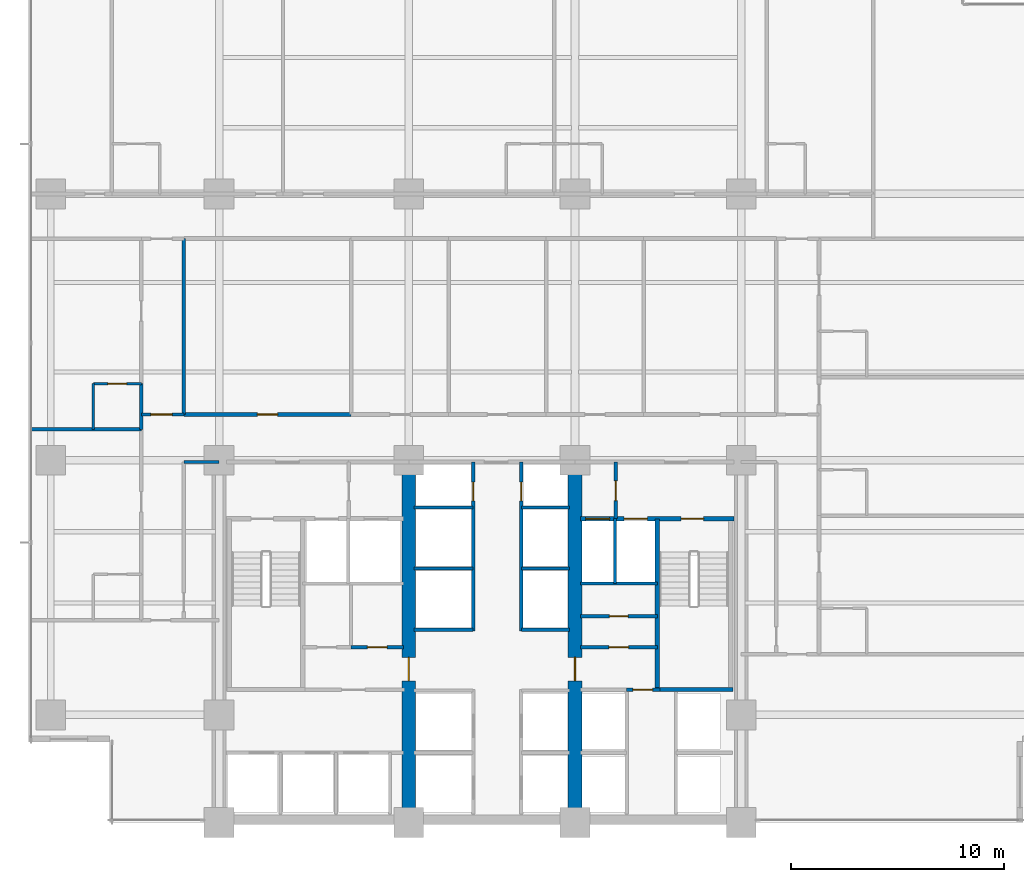
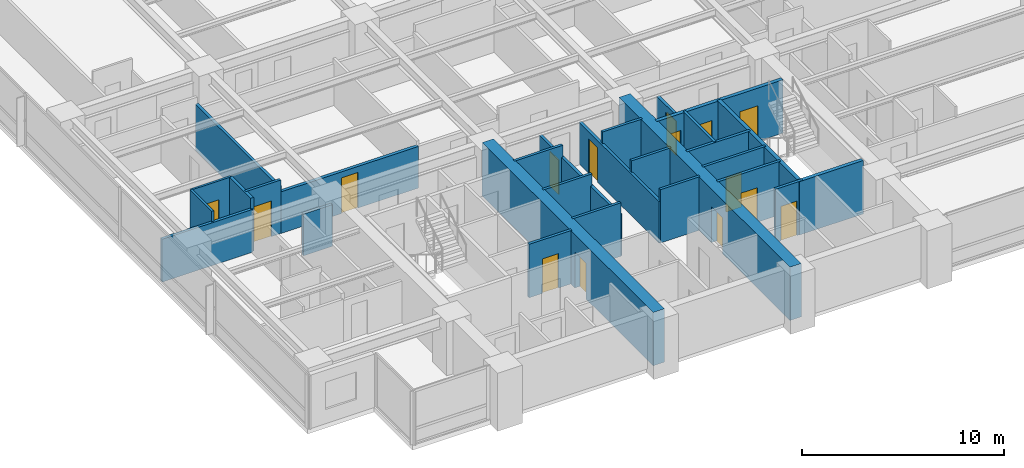
# One storey, part 8 of 16: 28 walls, 15 doors, 15 openings.
"""IFC4 building model written with IfcOpenShell, lengths in metres."""

import ifcopenshell
import ifcopenshell.guid

model = None  # the IFC model being written
_history = None  # IfcOwnerHistory: only IFC2X3 demands one
_inside = {}  # id of a spatial element -> (the spatial element, [elements in it])
_under = {}  # id of a project, library or spatial element -> (it, [spatial elements below it])
_declared = {}  # id of a project -> (the project, [libraries it declares])
_typed = {}  # id of a type object -> (the type object, [elements of that type])
_made_of = {}  # id of a material, layer set ... -> (it, [elements and type objects made of it])


def new_model(schema):
    """Start an empty IFC model of exactly this schema.

    Asked for "IFC4X3", IfcOpenShell would pick the latest addendum, in which some entities
    have other attributes; the version numbers below select the first issue.
    IFC2X3 requires an IfcOwnerHistory on every rooted entity: one is made here for all.
    """
    global model, _history
    if schema == "IFC4X3":
        model = ifcopenshell.file(schema_version=(4, 3, 0, 0))
    else:
        model = ifcopenshell.file(schema=schema)
    _inside.clear()
    _under.clear()
    _declared.clear()
    _typed.clear()
    _made_of.clear()
    _history = None
    if model.schema == "IFC2X3":
        org = make("IfcOrganization", Name="unknown")
        user = make(
            "IfcPersonAndOrganization",
            ThePerson=make("IfcPerson", FamilyName="unknown"),
            TheOrganization=org,
        )
        app = make(
            "IfcApplication",
            ApplicationDeveloper=org,
            Version="unknown",
            ApplicationFullName="unknown",
            ApplicationIdentifier="unknown",
        )
        _history = make(
            "IfcOwnerHistory",
            OwningUser=user,
            OwningApplication=app,
            ChangeAction="ADDED",
            CreationDate=0,
        )
    return model


def make(cls, **values):
    """One entity of the class cls with the attributes given. An attribute that is None is left unset."""
    return model.create_entity(
        cls, **{name: value for name, value in values.items() if value is not None}
    )


def rooted(cls, **values):
    """An entity with a GlobalId (a new one), such as an element, a storey or a relation."""
    return make(cls, GlobalId=ifcopenshell.guid.new(), OwnerHistory=_history, **values)


def si_unit(unit_type, name, prefix=None):
    """IfcSIUnit, for example si_unit("LENGTHUNIT", "METRE", prefix="MILLI")."""
    return make("IfcSIUnit", UnitType=unit_type, Prefix=prefix, Name=name)


def assignment(units):
    """IfcUnitAssignment: the units of a project."""
    return None if units is None else make("IfcUnitAssignment", Units=units)


def point(xyz):
    """IfcCartesianPoint."""
    return None if xyz is None else make("IfcCartesianPoint", Coordinates=xyz)


def direction(xyz):
    """IfcDirection."""
    return None if xyz is None else make("IfcDirection", DirectionRatios=xyz)


def frame(location, z_axis=None, x_axis=None):
    """IfcAxis2Placement3D, a coordinate frame: its origin and axes. An axis left out is left unset."""
    return make(
        "IfcAxis2Placement3D",
        Location=point(location),
        Axis=direction(z_axis),
        RefDirection=direction(x_axis),
    )


def frame_2d(location, x_axis=None):
    """IfcAxis2Placement2D, a coordinate frame in the plane: its origin and x axis."""
    return make(
        "IfcAxis2Placement2D", Location=point(location), RefDirection=direction(x_axis)
    )


def origin():
    """The frame at (0, 0, 0) with its axes left unset."""
    return frame((0.0, 0.0, 0.0))


def place(relative_to, where):
    """IfcLocalPlacement: puts the frame where relative to a parent placement (None: the world)."""
    return make(
        "IfcLocalPlacement", PlacementRelTo=relative_to, RelativePlacement=where
    )


def context(
    kind, dimensions, precision=None, world=None, true_north=None, identifier=None
):
    """IfcGeometricRepresentationContext, for example the 3D "Model" context."""
    return make(
        "IfcGeometricRepresentationContext",
        ContextIdentifier=identifier,
        ContextType=kind,
        CoordinateSpaceDimension=dimensions,
        Precision=precision,
        WorldCoordinateSystem=world,
        TrueNorth=true_north,
    )


def subcontext(parent, identifier, kind, view, scale=None):
    """IfcGeometricRepresentationSubContext, for example "Body" below "Model"."""
    return make(
        "IfcGeometricRepresentationSubContext",
        ContextIdentifier=identifier,
        ContextType=kind,
        ParentContext=parent,
        TargetScale=scale,
        TargetView=view,
    )


def project(units=None, contexts=None):
    """IfcProject with its units and contexts."""
    return rooted(
        "IfcProject",
        Name="project",
        RepresentationContexts=contexts,
        UnitsInContext=assignment(units),
    )


def spatial(cls, under=None, at=None, **own):
    """A site, building, storey or space (cls), placed at a placement, below another one or the project."""
    s = rooted(cls, ObjectPlacement=at, **own)
    if under is not None:
        _under.setdefault(under.id(), (under, []))[1].append(s)
    return s


def profile(cls, at=None, kind="AREA", **sizes):
    """A parametric profile (cls). Its sizes go by their IFC names, for example OverallWidth=200.0."""
    return make(cls, ProfileType=kind, Position=at, **sizes)


def rectangle(**sizes):
    """IfcRectangleProfileDef."""
    return profile("IfcRectangleProfileDef", **sizes)


def extrude(swept, where, along, depth):
    """IfcExtrudedAreaSolid: the profile swept, set in the frame where, extruded along a direction by depth."""
    return make(
        "IfcExtrudedAreaSolid",
        SweptArea=swept,
        Position=where,
        ExtrudedDirection=direction(along),
        Depth=depth,
    )


def shape(context_of_items, identifier, shape_type, items):
    """IfcShapeRepresentation: the items that make up one representation, for example the "Body"."""
    return make(
        "IfcShapeRepresentation",
        ContextOfItems=context_of_items,
        RepresentationIdentifier=identifier,
        RepresentationType=shape_type,
        Items=items,
    )


def material(Name=None, Category=None):
    """IfcMaterial."""
    return make("IfcMaterial", Name=Name, Category=Category)


def layer(
    of_material, thickness, ventilated=None, Name=None, Category=None, Priority=None
):
    """IfcMaterialLayer: one layer of a wall or slab, of a material (None: an air gap)."""
    return make(
        "IfcMaterialLayer",
        Material=of_material,
        LayerThickness=thickness,
        IsVentilated=ventilated,
        Name=Name,
        Category=Category,
        Priority=Priority,
    )


def layer_set(layers, Name=None):
    """IfcMaterialLayerSet."""
    return make("IfcMaterialLayerSet", MaterialLayers=layers, LayerSetName=Name)


def made_of(thing, what):
    """Note that an element or type object is made of a material, layer set ...; save() writes the relation."""
    if what is not None:
        _made_of.setdefault(what.id(), (what, []))[1].append(thing)
    return thing


def type_object(cls, material=None, **own):
    """A type object (cls), such as IfcWallType, which elements share."""
    return made_of(rooted(cls, **own), material)


def element(
    cls,
    number,
    at=None,
    inside=None,
    cuts=None,
    type_object=None,
    material=None,
    context=None,
    identifier="Body",
    shape_type=None,
    held_by="IfcProductDefinitionShape",
    body=None,
    shapes=None,
    **own,
):
    """One element of the class cls, such as IfcWall. Its Tag is "e" and its number.

    at: its placement. inside: the storey or other place that contains it. cuts: it is an
    opening in that element (IfcRelVoidsElement). A single representation is given by context,
    identifier, shape_type and body (its items); several are given by shapes. held_by: the class
    of the entity that holds the representations. save() writes the other relations.
    """
    e = rooted(cls, Tag="e%d" % number, ObjectPlacement=at, **own)
    if body is not None:
        shapes = [shape(context, identifier, shape_type, body)]
    if shapes is not None:
        e.Representation = make(held_by, Representations=shapes)
    if inside is not None:
        _inside.setdefault(inside.id(), (inside, []))[1].append(e)
    if cuts is not None:
        rooted(
            "IfcRelVoidsElement", RelatingBuildingElement=cuts, RelatedOpeningElement=e
        )
    if type_object is not None:
        _typed.setdefault(type_object.id(), (type_object, []))[1].append(e)
    return made_of(e, material)


def fill(opening, filler):
    """IfcRelFillsElement: the door or window that sits in an opening."""
    return rooted(
        "IfcRelFillsElement",
        RelatingOpeningElement=opening,
        RelatedBuildingElement=filler,
    )


def aggregate(whole, parts):
    """IfcRelAggregates: a whole, such as a stair, and the parts it consists of."""
    return rooted("IfcRelAggregates", RelatingObject=whole, RelatedObjects=parts)


def save(model, path):
    """Write the relations noted so far, then the file.

    IfcRelAggregates (storeys below a building ...), IfcRelContainedInSpatialStructure (elements
    in a storey), IfcRelDefinesByType, IfcRelAssociatesMaterial and IfcRelDeclares: one each for
    every whole, place, type object, material and project.
    """
    for whole, parts in _under.values():
        aggregate(whole, parts)
    for where, things in _inside.values():
        rooted(
            "IfcRelContainedInSpatialStructure",
            RelatedElements=things,
            RelatingStructure=where,
        )
    for kind, things in _typed.values():
        rooted("IfcRelDefinesByType", RelatedObjects=things, RelatingType=kind)
    for what, things in _made_of.values():
        rooted("IfcRelAssociatesMaterial", RelatedObjects=things, RelatingMaterial=what)
    for by, libraries in _declared.values():
        rooted("IfcRelDeclares", RelatingContext=by, RelatedDefinitions=libraries)
    model.write(path)


model = new_model("IFC4")

# Units and contexts
model_context = context("Model", 3, precision=1e-05, world=origin(), true_north=direction((0.0, 1.0)))
body_context = subcontext(model_context, "Body", "Model", "MODEL_VIEW")
ifc_project = project(units=[si_unit("LENGTHUNIT", "METRE"), si_unit("AREAUNIT", "SQUARE_METRE"), si_unit("VOLUMEUNIT", "CUBIC_METRE"), si_unit("PLANEANGLEUNIT", "RADIAN"), si_unit("MASSUNIT", "GRAM", prefix="KILO")], contexts=[model_context])

# Site, building, storey
site_placement = place(None, origin())
site = spatial("IfcSite", under=ifc_project, at=site_placement, CompositionType="ELEMENT")
building_placement = place(site_placement, origin())
building = spatial("IfcBuilding", under=site, at=building_placement, Name="Qalmaran Belvedere Hotel", CompositionType="ELEMENT")
storey_placement = place(building_placement, frame((0.0, 0.0, 43.89990234375)))
storey = spatial("IfcBuildingStorey", under=building, at=storey_placement, Name="L10", CompositionType="ELEMENT", Elevation=43.89990234375)

# Wall, opening, door
ifc_material_1 = material(Name="Concrete C60/75", Category="concrete")
ifc_layer_1 = layer(ifc_material_1, 0.64990234375, Name="Concrete C60/75")
ifc_layer_set_1 = layer_set([ifc_layer_1], Name="Concrete C60/75")
wall_type_1 = type_object("IfcWallType", Name="WL-CORE-650-C60", PredefinedType="SHEAR", material=ifc_layer_set_1)
wall_1_placement = place(storey_placement, frame((29.199951171875, 3.5, 0.0), z_axis=(0.0, 0.0, 1.0), x_axis=(0.0, 1.0, 0.0)))
wall_1 = element("IfcWall", 1, at=wall_1_placement, inside=storey, type_object=wall_type_1, Name="L10 Core West Spine Shear Wall", PredefinedType="SHEAR", context=body_context, shape_type="SweptSolid", body=[
    extrude(rectangle(XDim=16.89990234375, YDim=0.64990234375, at=frame_2d((8.449951171875, 0.0))), origin(), (0.0, 0.0, 1.0), 3.22021484375),
])
opening_1_placement = place(wall_1_placement, frame((7.75, 0.0, 0.0), z_axis=(0.0, 0.0, 1.0), x_axis=(-1.0, 0.0, 0.0)))
opening_1 = element("IfcOpeningElement", 2, at=opening_1_placement, cuts=wall_1, Name="Opening FD90", PredefinedType="OPENING", context=body_context, shape_type="SweptSolid", body=[
    extrude(rectangle(XDim=1.10009765625, YDim=2.14990234375, at=frame_2d((0.550048828125, 1.074951171875))), frame((0.0, 0.3349609375, 0.0), z_axis=(0.0, -1.0, 0.0), x_axis=(1.0, 0.0, 0.0)), (0.0, 0.0, 1.0), 0.669921875),
])
ifc_material_2 = material(Name="Steel S355JR", Category="steel")
door_type_1 = type_object("IfcDoorType", Name="DR-FD90-1100X2150", OperationType="NOTDEFINED", PredefinedType="DOOR", material=ifc_material_2)
door_1_placement = place(opening_1_placement, origin())
door_1 = element("IfcDoor", 3, at=door_1_placement, inside=storey, type_object=door_type_1, Name="L10 Core West Cross-Lobby Door", OperationType="SINGLE_SWING_LEFT", OverallHeight=2.14990234375, OverallWidth=1.10009765625, PredefinedType="DOOR", context=body_context, shape_type="SweptSolid", body=[
    extrude(rectangle(XDim=1.10009765625, YDim=2.14990234375, at=frame_2d((0.550048828125, 1.074951171875))), frame((0.0, 0.02490234375, 0.0), z_axis=(0.0, -1.0, 0.0), x_axis=(1.0, 0.0, 0.0)), (0.0, 0.0, 1.0), 0.050048828125),
])
fill(opening_1, door_1)

wall_2_placement = place(storey_placement, frame((37.0, 3.5, 0.0), z_axis=(0.0, 0.0, 1.0), x_axis=(0.0, 1.0, 0.0)))
wall_2 = element("IfcWall", 4, at=wall_2_placement, inside=storey, type_object=wall_type_1, Name="L10 Core East Spine Shear Wall", PredefinedType="SHEAR", context=body_context, shape_type="SweptSolid", body=[
    extrude(rectangle(XDim=16.89990234375, YDim=0.64990234375, at=frame_2d((8.449951171875, 0.0))), origin(), (0.0, 0.0, 1.0), 3.22021484375),
])
opening_2_placement = place(wall_2_placement, frame((6.64990234375, 0.0, 0.0)))
opening_2 = element("IfcOpeningElement", 5, at=opening_2_placement, cuts=wall_2, Name="Opening FD90", PredefinedType="OPENING", context=body_context, shape_type="SweptSolid", body=[
    extrude(rectangle(XDim=1.10009765625, YDim=2.14990234375, at=frame_2d((0.550048828125, 1.074951171875))), frame((0.0, 0.3349609375, 0.0), z_axis=(0.0, -1.0, 0.0), x_axis=(1.0, 0.0, 0.0)), (0.0, 0.0, 1.0), 0.669921875),
])
door_2_placement = place(opening_2_placement, origin())
door_2 = element("IfcDoor", 6, at=door_2_placement, inside=storey, type_object=door_type_1, Name="L10 Core East Cross-Lobby Door", OperationType="SINGLE_SWING_RIGHT", OverallHeight=2.14990234375, OverallWidth=1.10009765625, PredefinedType="DOOR", context=body_context, shape_type="SweptSolid", body=[
    extrude(rectangle(XDim=1.10009765625, YDim=2.14990234375, at=frame_2d((0.550048828125, 1.074951171875))), frame((0.0, 0.02490234375, 0.0), z_axis=(0.0, -1.0, 0.0), x_axis=(1.0, 0.0, 0.0)), (0.0, 0.0, 1.0), 0.050048828125),
])
fill(opening_2, door_2)

ifc_material_3 = material(Name="Moisture-Resistant Gypsum")
ifc_layer_2 = layer(ifc_material_3, 0.1201171875, Name="Moisture-Resistant Gypsum")
ifc_layer_set_2 = layer_set([ifc_layer_2], Name="Moisture-Resistant Gypsum")
wall_type_2 = type_object("IfcWallType", Name="WL-INT-120-BATH", PredefinedType="PARTITIONING", material=ifc_layer_set_2)
wall_3_placement = place(storey_placement, frame((14.39990234375, 24.10009765625, 0.0), z_axis=(0.0, 0.0, 1.0), x_axis=(1.0, 0.0, 0.0)))
wall_3 = element("IfcWall", 7, at=wall_3_placement, inside=storey, type_object=wall_type_2, Name="L10 Partition WL-L10-WBN01", PredefinedType="PARTITIONING", context=body_context, shape_type="SweptSolid", body=[
    extrude(rectangle(XDim=2.25, YDim=0.1201171875, at=frame_2d((1.125, 0.0))), origin(), (0.0, 0.0, 1.0), 3.22021484375),
])
opening_3_placement = place(wall_3_placement, frame((1.56494140625, 0.0, 0.0), z_axis=(0.0, 0.0, 1.0), x_axis=(-1.0, 0.0, 0.0)))
opening_3 = element("IfcOpeningElement", 8, at=opening_3_placement, cuts=wall_3, Name="Opening D-BATH", PredefinedType="OPENING", context=body_context, shape_type="SweptSolid", body=[
    extrude(rectangle(XDim=0.8798828125, YDim=2.080078125, at=frame_2d((0.43994140625, 1.0400390625))), frame((0.0, 0.070068359375, 0.0), z_axis=(0.0, -1.0, 0.0), x_axis=(1.0, 0.0, 0.0)), (0.0, 0.0, 1.0), 0.14013671875),
])
ifc_material_4 = material(Name="Engineered Oak Veneer")
door_type_2 = type_object("IfcDoorType", Name="DR-INT-BATH-880X2080", OperationType="NOTDEFINED", PredefinedType="DOOR", material=ifc_material_4)
door_3_placement = place(opening_3_placement, origin())
door_3 = element("IfcDoor", 9, at=door_3_placement, inside=storey, type_object=door_type_2, Name="L10 W Ensuite Door 02", OperationType="SINGLE_SWING_LEFT", OverallHeight=2.080078125, OverallWidth=0.8798828125, PredefinedType="DOOR", context=body_context, shape_type="SweptSolid", body=[
    extrude(rectangle(XDim=0.8798828125, YDim=2.080078125, at=frame_2d((0.43994140625, 1.0400390625))), frame((0.0, 0.02490234375, 0.0), z_axis=(0.0, -1.0, 0.0), x_axis=(1.0, 0.0, 0.0)), (0.0, 0.0, 1.0), 0.050048828125),
])
fill(opening_3, door_3)

# Walls
wall_4_placement = place(storey_placement, frame((14.39990234375, 21.949951171875, 0.0), z_axis=(0.0, 0.0, 1.0), x_axis=(0.0, 1.0, 0.0)))
element("IfcWall", 10, at=wall_4_placement, inside=storey, type_object=wall_type_2, Name="L10 Partition WL-L10-WBS01", PredefinedType="PARTITIONING", context=body_context, shape_type="SweptSolid", body=[
    extrude(rectangle(XDim=2.150146484375, YDim=0.1201171875, at=frame_2d((1.0751953125, 0.0))), origin(), (0.0, 0.0, 1.0), 3.22021484375),
])
ifc_material_5 = material(Name="Gypsum Stud Partition")
ifc_layer_3 = layer(ifc_material_5, 0.14990234375, Name="Gypsum Stud Partition")
ifc_layer_set_3 = layer_set([ifc_layer_3], Name="Gypsum Stud Partition")
wall_type_3 = type_object("IfcWallType", Name="WL-INT-150-EI120", PredefinedType="PARTITIONING", material=ifc_layer_set_3)
wall_5_placement = place(storey_placement, frame((38.8798828125, 14.719970703125, 0.0), z_axis=(0.0, 0.0, 1.0), x_axis=(0.0, 1.0, 0.0)))
element("IfcWall", 11, at=wall_5_placement, inside=storey, type_object=wall_type_3, Name="L10 Partition WL-FF2M-L10", PredefinedType="PARTITIONING", context=body_context, shape_type="SweptSolid", body=[
    extrude(rectangle(XDim=3.0400390625, YDim=0.14990234375, at=frame_2d((1.52001953125, 0.0))), origin(), (0.0, 0.0, 1.0), 3.22021484375),
])
wall_6_placement = place(storey_placement, frame((29.449951171875, 12.550048828125, 0.0), z_axis=(0.0, 0.0, 1.0), x_axis=(1.0, 0.0, 0.0)))
element("IfcWall", 12, at=wall_6_placement, inside=storey, type_object=wall_type_3, Name="L10 Partition WL-PMW-L10-125", PredefinedType="PARTITIONING", context=body_context, shape_type="SweptSolid", body=[
    extrude(rectangle(XDim=2.77001953125, YDim=0.14990234375, at=frame_2d((1.385009765625, 0.0))), origin(), (0.0, 0.0, 1.0), 3.22021484375),
])
wall_7_placement = place(storey_placement, frame((34.47998046875, 12.550048828125, 0.0), z_axis=(0.0, 0.0, 1.0), x_axis=(1.0, 0.0, 0.0)))
element("IfcWall", 13, at=wall_7_placement, inside=storey, type_object=wall_type_3, Name="L10 Partition WL-PME-L10-125", PredefinedType="PARTITIONING", context=body_context, shape_type="SweptSolid", body=[
    extrude(rectangle(XDim=2.27001953125, YDim=0.14990234375, at=frame_2d((1.135009765625, 0.0))), origin(), (0.0, 0.0, 1.0), 3.22021484375),
])
wall_8_placement = place(storey_placement, frame((29.449951171875, 15.419921875, 0.0), z_axis=(0.0, 0.0, 1.0), x_axis=(1.0, 0.0, 0.0)))
element("IfcWall", 14, at=wall_8_placement, inside=storey, type_object=wall_type_3, Name="L10 Partition WL-PMW-L10-154", PredefinedType="PARTITIONING", context=body_context, shape_type="SweptSolid", body=[
    extrude(rectangle(XDim=2.77001953125, YDim=0.14990234375, at=frame_2d((1.385009765625, 0.0))), origin(), (0.0, 0.0, 1.0), 3.22021484375),
])
wall_9_placement = place(storey_placement, frame((34.47998046875, 15.419921875, 0.0), z_axis=(0.0, 0.0, 1.0), x_axis=(1.0, 0.0, 0.0)))
element("IfcWall", 15, at=wall_9_placement, inside=storey, type_object=wall_type_3, Name="L10 Partition WL-PME-L10-154", PredefinedType="PARTITIONING", context=body_context, shape_type="SweptSolid", body=[
    extrude(rectangle(XDim=2.27001953125, YDim=0.14990234375, at=frame_2d((1.135009765625, 0.0))), origin(), (0.0, 0.0, 1.0), 3.22021484375),
])
wall_10_placement = place(storey_placement, frame((29.449951171875, 18.280029296875, 0.0), z_axis=(0.0, 0.0, 1.0), x_axis=(1.0, 0.0, 0.0)))
element("IfcWall", 16, at=wall_10_placement, inside=storey, type_object=wall_type_3, Name="L10 Partition WL-PMW-L10-182", PredefinedType="PARTITIONING", context=body_context, shape_type="SweptSolid", body=[
    extrude(rectangle(XDim=2.77001953125, YDim=0.14990234375, at=frame_2d((1.385009765625, 0.0))), origin(), (0.0, 0.0, 1.0), 3.22021484375),
])
wall_11_placement = place(storey_placement, frame((34.47998046875, 18.280029296875, 0.0), z_axis=(0.0, 0.0, 1.0), x_axis=(1.0, 0.0, 0.0)))
element("IfcWall", 17, at=wall_11_placement, inside=storey, type_object=wall_type_3, Name="L10 Partition WL-PME-L10-182", PredefinedType="PARTITIONING", context=body_context, shape_type="SweptSolid", body=[
    extrude(rectangle(XDim=2.27001953125, YDim=0.14990234375, at=frame_2d((1.135009765625, 0.0))), origin(), (0.0, 0.0, 1.0), 3.22021484375),
])

# Wall, opening, door
ifc_layer_4 = layer(ifc_material_5, 0.14990234375, Name="Gypsum Stud Partition")
ifc_layer_set_4 = layer_set([ifc_layer_4], Name="Gypsum Stud Partition")
wall_type_4 = type_object("IfcWallType", Name="WL-INT-150-EI60", PredefinedType="PARTITIONING", material=ifc_layer_set_4)
wall_12_placement = place(storey_placement, frame((37.25, 13.18505859375, 0.0), z_axis=(0.0, 0.0, 1.0), x_axis=(1.0, 0.0, 0.0)))
wall_12 = element("IfcWall", 18, at=wall_12_placement, inside=storey, type_object=wall_type_4, Name="L10 Partition WL-L10-KEHM", PredefinedType="PARTITIONING", context=body_context, shape_type="SweptSolid", body=[
    extrude(rectangle(XDim=3.610107421875, YDim=0.14990234375, at=frame_2d((1.80517578125, 0.0))), origin(), (0.0, 0.0, 1.0), 3.22021484375),
])
opening_4_placement = place(wall_12_placement, frame((1.364990234375, 0.0, 0.0)))
opening_4 = element("IfcOpeningElement", 19, at=opening_4_placement, cuts=wall_12, Name="Opening FD60B", PredefinedType="OPENING", context=body_context, shape_type="SweptSolid", body=[
    extrude(rectangle(XDim=0.8798828125, YDim=2.080078125, at=frame_2d((0.43994140625, 1.0400390625))), frame((0.0, 0.0849609375, 0.0), z_axis=(0.0, -1.0, 0.0), x_axis=(1.0, 0.0, 0.0)), (0.0, 0.0, 1.0), 0.169921875),
])
door_type_3 = type_object("IfcDoorType", Name="DR-FD60B-880X2080", OperationType="NOTDEFINED", PredefinedType="DOOR", material=ifc_material_2)
door_4_placement = place(opening_4_placement, origin())
door_4 = element("IfcDoor", 20, at=door_4_placement, inside=storey, type_object=door_type_3, Name="L10 Hotel Linen Closet Door", OperationType="SINGLE_SWING_LEFT", OverallHeight=2.080078125, OverallWidth=0.8798828125, PredefinedType="DOOR", context=body_context, shape_type="SweptSolid", body=[
    extrude(rectangle(XDim=0.8798828125, YDim=2.080078125, at=frame_2d((0.43994140625, 1.0400390625))), frame((0.0, 0.02490234375, 0.0), z_axis=(0.0, -1.0, 0.0), x_axis=(1.0, 0.0, 0.0)), (0.0, 0.0, 1.0), 0.050048828125),
])
fill(opening_4, door_4)

wall_13_placement = place(storey_placement, frame((16.64990234375, 22.64990234375, 0.0), z_axis=(0.0, 0.0, 1.0), x_axis=(1.0, 0.0, 0.0)))
wall_13 = element("IfcWall", 21, at=wall_13_placement, inside=storey, type_object=wall_type_4, Name="L10 Partition WL-L10-XCW1", PredefinedType="PARTITIONING", context=body_context, shape_type="SweptSolid", body=[
    extrude(rectangle(XDim=2.0, YDim=0.14990234375, at=frame_2d((1.0, 0.0))), origin(), (0.0, 0.0, 1.0), 3.22021484375),
])
opening_5_placement = place(wall_13_placement, frame((0.449951171875, 0.0, 0.0)))
opening_5 = element("IfcOpeningElement", 22, at=opening_5_placement, cuts=wall_13, Name="Opening FD90B", PredefinedType="OPENING", context=body_context, shape_type="SweptSolid", body=[
    extrude(rectangle(XDim=1.0, YDim=2.14990234375, at=frame_2d((0.5, 1.074951171875))), frame((0.0, 0.0849609375, 0.0), z_axis=(0.0, -1.0, 0.0), x_axis=(1.0, 0.0, 0.0)), (0.0, 0.0, 1.0), 0.169921875),
])
door_type_4 = type_object("IfcDoorType", Name="DR-FD90B-1000X2150", OperationType="NOTDEFINED", PredefinedType="DOOR", material=ifc_material_2)
door_5_placement = place(opening_5_placement, origin())
door_5 = element("IfcDoor", 23, at=door_5_placement, inside=storey, type_object=door_type_4, Name="L10 West Corridor Smoke Door S", OperationType="SINGLE_SWING_RIGHT", OverallHeight=2.14990234375, OverallWidth=1.0, PredefinedType="DOOR", context=body_context, shape_type="SweptSolid", body=[
    extrude(rectangle(XDim=1.0, YDim=2.14990234375, at=frame_2d((0.5, 1.074951171875))), frame((0.0, 0.02490234375, 0.0), z_axis=(0.0, -1.0, 0.0), x_axis=(1.0, 0.0, 0.0)), (0.0, 0.0, 1.0), 0.050048828125),
])
fill(opening_5, door_5)

ifc_layer_5 = layer(ifc_material_5, 0.159912109375, Name="Gypsum Stud Partition")
ifc_layer_set_5 = layer_set([ifc_layer_5], Name="Gypsum Stud Partition")
wall_type_5 = type_object("IfcWallType", Name="WL-INT-160-EI120", PredefinedType="PARTITIONING", material=ifc_layer_set_5)
wall_14_placement = place(storey_placement, frame((38.919921875, 17.760009765625, 0.0), z_axis=(0.0, 0.0, 1.0), x_axis=(0.0, 1.0, 0.0)))
wall_14 = element("IfcWall", 24, at=wall_14_placement, inside=storey, type_object=wall_type_5, Name="L10 Partition WL-FFSV2-L10", PredefinedType="PARTITIONING", context=body_context, shape_type="SweptSolid", body=[
    extrude(rectangle(XDim=2.659912109375, YDim=0.159912109375, at=frame_2d((1.330078125, 0.0))), origin(), (0.0, 0.0, 1.0), 2.510009765625),
])
opening_6_placement = place(wall_14_placement, frame((1.77001953125, 0.0, 0.0), z_axis=(0.0, 0.0, 1.0), x_axis=(-1.0, 0.0, 0.0)))
opening_6 = element("IfcOpeningElement", 25, at=opening_6_placement, cuts=wall_14, Name="Opening FD60S1", PredefinedType="OPENING", context=body_context, shape_type="SweptSolid", body=[
    extrude(rectangle(XDim=0.919921875, YDim=2.080078125, at=frame_2d((0.4599609375, 1.0400390625))), frame((0.0, 0.08984375, 0.0), z_axis=(0.0, -1.0, 0.0), x_axis=(1.0, 0.0, 0.0)), (0.0, 0.0, 1.0), 0.179931640625),
])
door_type_5 = type_object("IfcDoorType", Name="DR-FD60S-920X2080", OperationType="NOTDEFINED", PredefinedType="DOOR", material=ifc_material_4)
door_6_placement = place(opening_6_placement, origin())
door_6 = element("IfcDoor", 26, at=door_6_placement, inside=storey, type_object=door_type_5, Name="L10 Service Lobby East Door", OperationType="SINGLE_SWING_RIGHT", OverallHeight=2.080078125, OverallWidth=0.919921875, PredefinedType="DOOR", context=body_context, shape_type="SweptSolid", body=[
    extrude(rectangle(XDim=0.919921875, YDim=2.080078125, at=frame_2d((0.4599609375, 1.0400390625))), frame((0.0, 0.02490234375, 0.0), z_axis=(0.0, -1.0, 0.0), x_axis=(1.0, 0.0, 0.0)), (0.0, 0.0, 1.0), 0.050048828125),
])
fill(opening_6, door_6)

# Wall
wall_15_placement = place(storey_placement, frame((37.25, 14.719970703125, 0.0), z_axis=(0.0, 0.0, 1.0), x_axis=(1.0, 0.0, 0.0)))
element("IfcWall", 27, at=wall_15_placement, inside=storey, type_object=wall_type_5, Name="L10 Partition WL-FF2S-L10", PredefinedType="PARTITIONING", context=body_context, shape_type="SweptSolid", body=[
    extrude(rectangle(XDim=3.610107421875, YDim=0.159912109375, at=frame_2d((1.80517578125, 0.0))), origin(), (0.0, 0.0, 1.0), 3.22021484375),
])

# Wall, opening, door
wall_16_placement = place(storey_placement, frame((39.419921875, 9.739990234375, 0.0), z_axis=(0.0, 0.0, 1.0), x_axis=(1.0, 0.0, 0.0)))
wall_16 = element("IfcWall", 28, at=wall_16_placement, inside=storey, type_object=wall_type_5, Name="L10 Partition WL-PHNL-L10", PredefinedType="PARTITIONING", context=body_context, shape_type="SweptSolid", body=[
    extrude(rectangle(XDim=1.56005859375, YDim=0.159912109375, at=frame_2d((0.780029296875, 0.0))), origin(), (0.0, 0.0, 1.0), 3.22021484375),
])
opening_7_placement = place(wall_16_placement, frame((0.300048828125, 0.0, 0.0)))
opening_7 = element("IfcOpeningElement", 29, at=opening_7_placement, cuts=wall_16, Name="Opening FD60S1", PredefinedType="OPENING", context=body_context, shape_type="SweptSolid", body=[
    extrude(rectangle(XDim=0.919921875, YDim=2.080078125, at=frame_2d((0.4599609375, 1.0400390625))), frame((0.0, 0.08984375, 0.0), z_axis=(0.0, -1.0, 0.0), x_axis=(1.0, 0.0, 0.0)), (0.0, 0.0, 1.0), 0.179931640625),
])
door_7_placement = place(opening_7_placement, origin())
door_7 = element("IfcDoor", 30, at=door_7_placement, inside=storey, type_object=door_type_5, Name="L10 High-Rise Lift Lobby Passage Door", OperationType="SINGLE_SWING_LEFT", OverallHeight=2.080078125, OverallWidth=0.919921875, PredefinedType="DOOR", context=body_context, shape_type="SweptSolid", body=[
    extrude(rectangle(XDim=0.919921875, YDim=2.080078125, at=frame_2d((0.4599609375, 1.0400390625))), frame((0.0, 0.02490234375, 0.0), z_axis=(0.0, -1.0, 0.0), x_axis=(1.0, 0.0, 0.0)), (0.0, 0.0, 1.0), 0.050048828125),
])
fill(opening_7, door_7)

wall_17_placement = place(storey_placement, frame((32.219970703125, 12.5, 0.0), z_axis=(0.0, 0.0, 1.0), x_axis=(0.0, 1.0, 0.0)))
wall_17 = element("IfcWall", 31, at=wall_17_placement, inside=storey, type_object=wall_type_5, Name="L10 Partition WL-CLBWN-L10", PredefinedType="PARTITIONING", context=body_context, shape_type="SweptSolid", body=[
    extrude(rectangle(XDim=7.919921875, YDim=0.159912109375, at=frame_2d((3.9599609375, 0.0))), origin(), (0.0, 0.0, 1.0), 2.510009765625),
])
opening_8_placement = place(wall_17_placement, frame((6.10009765625, 0.0, 0.0)))
opening_8 = element("IfcOpeningElement", 32, at=opening_8_placement, cuts=wall_17, Name="Opening FD60B", PredefinedType="OPENING", context=body_context, shape_type="SweptSolid", body=[
    extrude(rectangle(XDim=0.8798828125, YDim=2.080078125, at=frame_2d((0.43994140625, 1.0400390625))), frame((0.0, 0.08984375, 0.0), z_axis=(0.0, -1.0, 0.0), x_axis=(1.0, 0.0, 0.0)), (0.0, 0.0, 1.0), 0.179931640625),
])
door_8_placement = place(opening_8_placement, origin())
door_8 = element("IfcDoor", 33, at=door_8_placement, inside=storey, type_object=door_type_3, Name="L10 West Riser Access Door", OperationType="SINGLE_SWING_RIGHT", OverallHeight=2.080078125, OverallWidth=0.8798828125, PredefinedType="DOOR", context=body_context, shape_type="SweptSolid", body=[
    extrude(rectangle(XDim=0.8798828125, YDim=2.080078125, at=frame_2d((0.43994140625, 1.0400390625))), frame((0.0, 0.02490234375, 0.0), z_axis=(0.0, -1.0, 0.0), x_axis=(1.0, 0.0, 0.0)), (0.0, 0.0, 1.0), 0.050048828125),
])
fill(opening_8, door_8)

wall_18_placement = place(storey_placement, frame((34.47998046875, 12.5, 0.0), z_axis=(0.0, 0.0, 1.0), x_axis=(0.0, 1.0, 0.0)))
wall_18 = element("IfcWall", 34, at=wall_18_placement, inside=storey, type_object=wall_type_5, Name="L10 Partition WL-CLBEN-L10", PredefinedType="PARTITIONING", context=body_context, shape_type="SweptSolid", body=[
    extrude(rectangle(XDim=7.919921875, YDim=0.159912109375, at=frame_2d((3.9599609375, 0.0))), origin(), (0.0, 0.0, 1.0), 2.510009765625),
])
opening_9_placement = place(wall_18_placement, frame((6.97998046875, 0.0, 0.0), z_axis=(0.0, 0.0, 1.0), x_axis=(-1.0, 0.0, 0.0)))
opening_9 = element("IfcOpeningElement", 35, at=opening_9_placement, cuts=wall_18, Name="Opening FD60B", PredefinedType="OPENING", context=body_context, shape_type="SweptSolid", body=[
    extrude(rectangle(XDim=0.8798828125, YDim=2.080078125, at=frame_2d((0.43994140625, 1.0400390625))), frame((0.0, 0.08984375, 0.0), z_axis=(0.0, -1.0, 0.0), x_axis=(1.0, 0.0, 0.0)), (0.0, 0.0, 1.0), 0.179931640625),
])
door_9_placement = place(opening_9_placement, origin())
door_9 = element("IfcDoor", 36, at=door_9_placement, inside=storey, type_object=door_type_3, Name="L10 East Riser Access Door", OperationType="SINGLE_SWING_LEFT", OverallHeight=2.080078125, OverallWidth=0.8798828125, PredefinedType="DOOR", context=body_context, shape_type="SweptSolid", body=[
    extrude(rectangle(XDim=0.8798828125, YDim=2.080078125, at=frame_2d((0.43994140625, 1.0400390625))), frame((0.0, 0.02490234375, 0.0), z_axis=(0.0, -1.0, 0.0), x_axis=(1.0, 0.0, 0.0)), (0.0, 0.0, 1.0), 0.050048828125),
])
fill(opening_9, door_9)

ifc_layer_6 = layer(ifc_material_5, 0.159912109375, Name="Gypsum Stud Partition")
ifc_layer_set_6 = layer_set([ifc_layer_6], Name="Gypsum Stud Partition")
wall_type_6 = type_object("IfcWallType", Name="WL-INT-160-EI60", PredefinedType="PARTITIONING", material=ifc_layer_set_6)
wall_19_placement = place(storey_placement, frame((26.490478515625, 11.719970703125, 0.0), z_axis=(0.0, 0.0, 1.0), x_axis=(1.0, 0.0, 0.0)))
wall_19 = element("IfcWall", 37, at=wall_19_placement, inside=storey, type_object=wall_type_6, Name="L10 Partition WL-L10-KWE2", PredefinedType="PARTITIONING", context=body_context, shape_type="SweptSolid", body=[
    extrude(rectangle(XDim=2.45947265625, YDim=0.159912109375, at=frame_2d((1.229736328125, 0.0))), origin(), (0.0, 0.0, 1.0), 3.22021484375),
])
opening_10_placement = place(wall_19_placement, frame((0.769775390625, 0.0, 0.0)))
opening_10 = element("IfcOpeningElement", 38, at=opening_10_placement, cuts=wall_19, Name="Opening FD60S1", PredefinedType="OPENING", context=body_context, shape_type="SweptSolid", body=[
    extrude(rectangle(XDim=0.919921875, YDim=2.080078125, at=frame_2d((0.4599609375, 1.0400390625))), frame((0.0, 0.08984375, 0.0), z_axis=(0.0, -1.0, 0.0), x_axis=(1.0, 0.0, 0.0)), (0.0, 0.0, 1.0), 0.179931640625),
])
door_10_placement = place(opening_10_placement, origin())
door_10 = element("IfcDoor", 39, at=door_10_placement, inside=storey, type_object=door_type_5, Name="L10 Cleaner Supply Store Door", OperationType="SINGLE_SWING_LEFT", OverallHeight=2.080078125, OverallWidth=0.919921875, PredefinedType="DOOR", context=body_context, shape_type="SweptSolid", body=[
    extrude(rectangle(XDim=0.919921875, YDim=2.080078125, at=frame_2d((0.4599609375, 1.0400390625))), frame((0.0, 0.02490234375, 0.0), z_axis=(0.0, -1.0, 0.0), x_axis=(1.0, 0.0, 0.0)), (0.0, 0.0, 1.0), 0.050048828125),
])
fill(opening_10, door_10)

wall_20_placement = place(storey_placement, frame((37.25, 11.719970703125, 0.0), z_axis=(0.0, 0.0, 1.0), x_axis=(1.0, 0.0, 0.0)))
wall_20 = element("IfcWall", 40, at=wall_20_placement, inside=storey, type_object=wall_type_6, Name="L10 Partition WL-L10-KEE1", PredefinedType="PARTITIONING", context=body_context, shape_type="SweptSolid", body=[
    extrude(rectangle(XDim=3.610107421875, YDim=0.159912109375, at=frame_2d((1.80517578125, 0.0))), origin(), (0.0, 0.0, 1.0), 3.22021484375),
])
opening_11_placement = place(wall_20_placement, frame((1.344970703125, 0.0, 0.0)))
opening_11 = element("IfcOpeningElement", 41, at=opening_11_placement, cuts=wall_20, Name="Opening FD60S1", PredefinedType="OPENING", context=body_context, shape_type="SweptSolid", body=[
    extrude(rectangle(XDim=0.919921875, YDim=2.080078125, at=frame_2d((0.4599609375, 1.0400390625))), frame((0.0, 0.08984375, 0.0), z_axis=(0.0, -1.0, 0.0), x_axis=(1.0, 0.0, 0.0)), (0.0, 0.0, 1.0), 0.179931640625),
])
door_11_placement = place(opening_11_placement, origin())
door_11 = element("IfcDoor", 42, at=door_11_placement, inside=storey, type_object=door_type_5, Name="L10 Low Voltage Switch Room Door", OperationType="SINGLE_SWING_RIGHT", OverallHeight=2.080078125, OverallWidth=0.919921875, PredefinedType="DOOR", context=body_context, shape_type="SweptSolid", body=[
    extrude(rectangle(XDim=0.919921875, YDim=2.080078125, at=frame_2d((0.4599609375, 1.0400390625))), frame((0.0, 0.02490234375, 0.0), z_axis=(0.0, -1.0, 0.0), x_axis=(1.0, 0.0, 0.0)), (0.0, 0.0, 1.0), 0.050048828125),
])
fill(opening_11, door_11)

# Walls
wall_21_placement = place(storey_placement, frame((18.64990234375, 20.419921875, 0.0), z_axis=(0.0, 0.0, 1.0), x_axis=(1.0, 0.0, 0.0)))
element("IfcWall", 43, at=wall_21_placement, inside=storey, type_object=wall_type_6, Name="L10 Partition WL-L10-WCLN", PredefinedType="PARTITIONING", context=body_context, shape_type="SweptSolid", body=[
    extrude(rectangle(XDim=1.650146484375, YDim=0.159912109375, at=frame_2d((0.8251953125, 0.0))), origin(), (0.0, 0.0, 1.0), 2.510009765625),
])
wall_22_placement = place(storey_placement, frame((18.64990234375, 22.64990234375, 0.0), z_axis=(0.0, 0.0, 1.0), x_axis=(0.0, 1.0, 0.0)))
element("IfcWall", 44, at=wall_22_placement, inside=storey, type_object=wall_type_6, Name="L10 Partition WL-L10-MIDVL", PredefinedType="PARTITIONING", context=body_context, shape_type="SweptSolid", body=[
    extrude(rectangle(XDim=8.25, YDim=0.159912109375, at=frame_2d((4.125, 0.0))), origin(), (0.0, 0.0, 1.0), 2.7880859375),
])
wall_23_placement = place(storey_placement, frame((11.469970703125, 21.949951171875, 0.0), z_axis=(0.0, 0.0, 1.0), x_axis=(1.0, 0.0, 0.0)))
element("IfcWall", 45, at=wall_23_placement, inside=storey, type_object=wall_type_6, Name="L10 Partition WL-L10-WU00", PredefinedType="PARTITIONING", context=body_context, shape_type="SweptSolid", body=[
    extrude(rectangle(XDim=5.179931640625, YDim=0.159912109375, at=frame_2d((2.58984375, 0.0))), origin(), (0.0, 0.0, 1.0), 2.5830078125),
])

# Wall, opening, door
ifc_layer_7 = layer(ifc_material_5, 0.179931640625, Name="Gypsum Stud Partition")
ifc_layer_set_7 = layer_set([ifc_layer_7], Name="Gypsum Stud Partition")
wall_type_7 = type_object("IfcWallType", Name="WL-INT-180-EI60", PredefinedType="PARTITIONING", material=ifc_layer_set_7)
wall_24_placement = place(storey_placement, frame((18.64990234375, 22.64990234375, 0.0), z_axis=(0.0, 0.0, 1.0), x_axis=(1.0, 0.0, 0.0)))
wall_24 = element("IfcWall", 46, at=wall_24_placement, inside=storey, type_object=wall_type_7, Name="L10 Partition WL-L10-MIDD1", PredefinedType="PARTITIONING", context=body_context, shape_type="SweptSolid", body=[
    extrude(rectangle(XDim=7.85009765625, YDim=0.179931640625, at=frame_2d((3.925048828125, 0.0))), origin(), (0.0, 0.0, 1.0), 2.510009765625),
])
opening_12_placement = place(wall_24_placement, frame((3.449951171875, 0.0, 0.0)))
opening_12 = element("IfcOpeningElement", 47, at=opening_12_placement, cuts=wall_24, Name="Opening FD60", PredefinedType="OPENING", context=body_context, shape_type="SweptSolid", body=[
    extrude(rectangle(XDim=0.949951171875, YDim=2.14990234375, at=frame_2d((0.47509765625, 1.074951171875))), frame((0.0, 0.10009765625, 0.0), z_axis=(0.0, -1.0, 0.0), x_axis=(1.0, 0.0, 0.0)), (0.0, 0.0, 1.0), 0.199951171875),
])
door_type_6 = type_object("IfcDoorType", Name="DR-FD60-950X2150", OperationType="NOTDEFINED", PredefinedType="DOOR", material=ifc_material_4)
door_12_placement = place(opening_12_placement, origin())
door_12 = element("IfcDoor", 48, at=door_12_placement, inside=storey, type_object=door_type_6, Name="L10 Housekeeping and Linen Room Door", OperationType="SINGLE_SWING_RIGHT", OverallHeight=2.14990234375, OverallWidth=0.949951171875, PredefinedType="DOOR", context=body_context, shape_type="SweptSolid", body=[
    extrude(rectangle(XDim=0.949951171875, YDim=2.14990234375, at=frame_2d((0.47509765625, 1.074951171875))), frame((0.0, 0.02490234375, 0.0), z_axis=(0.0, -1.0, 0.0), x_axis=(1.0, 0.0, 0.0)), (0.0, 0.0, 1.0), 0.050048828125),
])
fill(opening_12, door_12)

# Walls
wall_25_placement = place(storey_placement, frame((16.64990234375, 21.949951171875, 0.0), z_axis=(0.0, 0.0, 1.0), x_axis=(0.0, 1.0, 0.0)))
element("IfcWall", 49, at=wall_25_placement, inside=storey, type_object=wall_type_7, Name="L10 Partition WL-L10-WBC01", PredefinedType="PARTITIONING", context=body_context, shape_type="SweptSolid", body=[
    extrude(rectangle(XDim=2.150146484375, YDim=0.179931640625, at=frame_2d((1.0751953125, 0.0))), origin(), (0.0, 0.0, 1.0), 3.22021484375),
])
ifc_material_6 = material(Name="Concrete C50/60", Category="concrete")
ifc_layer_8 = layer(ifc_material_6, 0.2099609375, Name="Concrete C50/60")
ifc_layer_set_8 = layer_set([ifc_layer_8], Name="Concrete C50/60")
wall_type_8 = type_object("IfcWallType", Name="WL-STAIR-210-C50", PredefinedType="SHEAR", material=ifc_layer_set_8)
wall_26_placement = place(storey_placement, frame((40.85498046875, 9.7451171875, 0.0), z_axis=(0.0, 0.0, 1.0), x_axis=(0.0, 1.0, 0.0)))
element("IfcWall", 50, at=wall_26_placement, inside=storey, type_object=wall_type_8, Name="L10 Stair ST-2 West Bearing Wall", PredefinedType="SHEAR", context=body_context, shape_type="SweptSolid", body=[
    extrude(rectangle(XDim=8.009765625, YDim=0.2099609375, at=frame_2d((4.0048828125, 0.0))), origin(), (0.0, 0.0, 1.0), 3.22021484375),
])
wall_27_placement = place(storey_placement, frame((40.75, 9.7451171875, 0.0), z_axis=(0.0, 0.0, 1.0), x_axis=(1.0, 0.0, 0.0)))
element("IfcWall", 51, at=wall_27_placement, inside=storey, type_object=wall_type_8, Name="L10 Stair ST-2 South Bearing Wall", PredefinedType="SHEAR", context=body_context, shape_type="SweptSolid", body=[
    extrude(rectangle(XDim=3.659912109375, YDim=0.2099609375, at=frame_2d((1.830078125, 0.0))), origin(), (0.0, 0.0, 1.0), 3.22021484375),
])

# Wall, openings, doors
wall_28_placement = place(storey_placement, frame((37.25, 17.7548828125, 0.0), z_axis=(0.0, 0.0, 1.0), x_axis=(1.0, 0.0, 0.0)))
wall_28 = element("IfcWall", 52, at=wall_28_placement, inside=storey, type_object=wall_type_8, Name="L10 East Lobby and Stair ST-2 North Bearing Wall", PredefinedType="SHEAR", context=body_context, shape_type="SweptSolid", body=[
    extrude(rectangle(XDim=7.199951171875, YDim=0.2099609375, at=frame_2d((3.60009765625, 0.0))), origin(), (0.0, 0.0, 1.0), 3.22021484375),
])
opening_13_placement = place(wall_28_placement, frame((0.25, 0.0, 0.0)))
opening_13 = element("IfcOpeningElement", 53, at=opening_13_placement, cuts=wall_28, Name="Opening LD-SV", PredefinedType="OPENING", context=body_context, shape_type="SweptSolid", body=[
    extrude(rectangle(XDim=1.1201171875, YDim=2.199951171875, at=frame_2d((0.56005859375, 1.10009765625))), frame((0.0, 0.114990234375, 0.0), z_axis=(0.0, -1.0, 0.0), x_axis=(1.0, 0.0, 0.0)), (0.0, 0.0, 1.0), 0.22998046875),
])
opening_14_placement = place(wall_28_placement, frame((2.050048828125, 0.0, 0.0)))
opening_14 = element("IfcOpeningElement", 54, at=opening_14_placement, cuts=wall_28, Name="Opening LD-FF", PredefinedType="OPENING", context=body_context, shape_type="SweptSolid", body=[
    extrude(rectangle(XDim=1.10009765625, YDim=2.179931640625, at=frame_2d((0.550048828125, 1.08984375))), frame((0.0, 0.114990234375, 0.0), z_axis=(0.0, -1.0, 0.0), x_axis=(1.0, 0.0, 0.0)), (0.0, 0.0, 1.0), 0.22998046875),
])
opening_15_placement = place(wall_28_placement, frame((5.780029296875, 0.0, 0.0), z_axis=(0.0, 0.0, 1.0), x_axis=(-1.0, 0.0, 0.0)))
opening_15 = element("IfcOpeningElement", 55, at=opening_15_placement, cuts=wall_28, Name="Opening FD90S2", PredefinedType="OPENING", context=body_context, shape_type="SweptSolid", body=[
    extrude(rectangle(XDim=1.050048828125, YDim=2.14990234375, at=frame_2d((0.52490234375, 1.074951171875))), frame((0.0, 0.114990234375, 0.0), z_axis=(0.0, -1.0, 0.0), x_axis=(1.0, 0.0, 0.0)), (0.0, 0.0, 1.0), 0.22998046875),
])
door_type_7 = type_object("IfcDoorType", Name="DR-FD90S-1050X2150", OperationType="NOTDEFINED", PredefinedType="DOOR", material=ifc_material_2)
door_13_placement = place(opening_15_placement, origin())
door_13 = element("IfcDoor", 56, at=door_13_placement, inside=storey, type_object=door_type_7, Name="L10 Stair ST-2 Door", OperationType="SINGLE_SWING_RIGHT", OverallHeight=2.14990234375, OverallWidth=1.050048828125, PredefinedType="DOOR", context=body_context, shape_type="SweptSolid", body=[
    extrude(rectangle(XDim=1.050048828125, YDim=2.14990234375, at=frame_2d((0.52490234375, 1.074951171875))), frame((0.0, 0.02490234375, 0.0), z_axis=(0.0, -1.0, 0.0), x_axis=(1.0, 0.0, 0.0)), (0.0, 0.0, 1.0), 0.050048828125),
])
fill(opening_15, door_13)
ifc_material_7 = material(Name="Stainless Steel 1.4401", Category="steel")
door_type_8 = type_object("IfcDoorType", Name="DR-LIFT-FF-1100X2180", OperationType="DOUBLE_DOOR_SLIDING", PredefinedType="DOOR", material=ifc_material_7)
door_14_placement = place(opening_14_placement, origin())
door_14 = element("IfcDoor", 57, at=door_14_placement, inside=storey, type_object=door_type_8, Name="L10 FF2 Lift Landing Door", OperationType="DOUBLE_DOOR_SLIDING", OverallHeight=2.179931640625, OverallWidth=1.10009765625, PredefinedType="DOOR", context=body_context, shape_type="SweptSolid", body=[
    extrude(rectangle(XDim=1.10009765625, YDim=2.179931640625, at=frame_2d((0.550048828125, 1.08984375))), frame((0.0, 0.02490234375, 0.0), z_axis=(0.0, -1.0, 0.0), x_axis=(1.0, 0.0, 0.0)), (0.0, 0.0, 1.0), 0.050048828125),
])
fill(opening_14, door_14)
door_type_9 = type_object("IfcDoorType", Name="DR-LIFT-SV-1120X2200", OperationType="DOUBLE_DOOR_SLIDING", PredefinedType="DOOR", material=ifc_material_7)
door_15_placement = place(opening_13_placement, origin())
door_15 = element("IfcDoor", 58, at=door_15_placement, inside=storey, type_object=door_type_9, Name="L10 SV2 Lift Landing Door", OperationType="DOUBLE_DOOR_SLIDING", OverallHeight=2.199951171875, OverallWidth=1.1201171875, PredefinedType="DOOR", context=body_context, shape_type="SweptSolid", body=[
    extrude(rectangle(XDim=1.1201171875, YDim=2.199951171875, at=frame_2d((0.56005859375, 1.10009765625))), frame((0.0, 0.02490234375, 0.0), z_axis=(0.0, -1.0, 0.0), x_axis=(1.0, 0.0, 0.0)), (0.0, 0.0, 1.0), 0.050048828125),
])
fill(opening_13, door_15)

save(model, "model.ifc")
